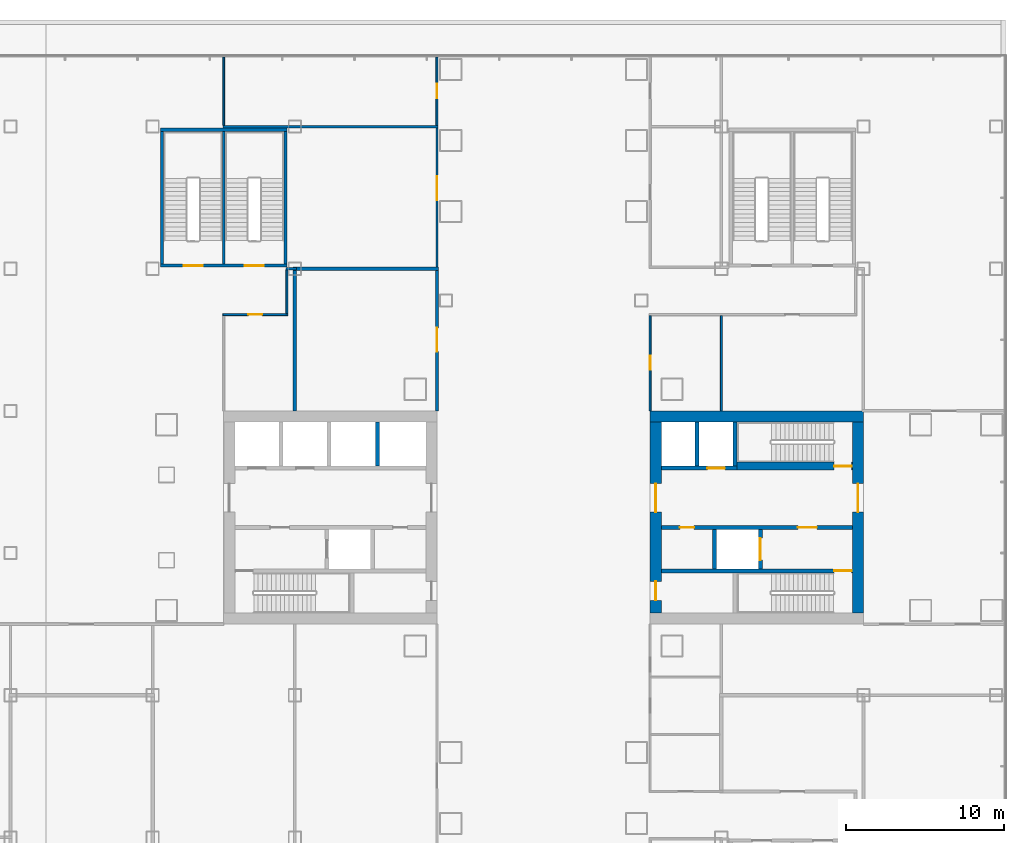
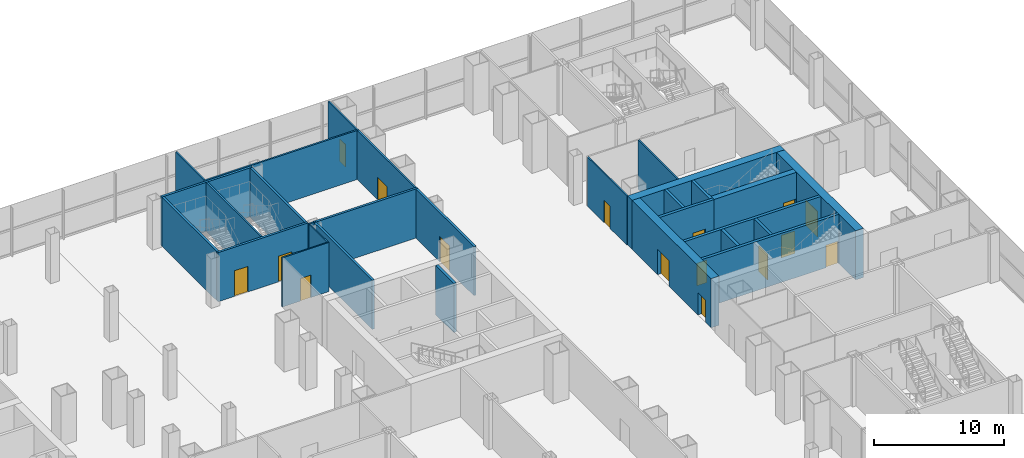
# One storey, part 25 of 33: 29 walls, 16 doors, 16 openings.
"""IFC4 building model written with IfcOpenShell, lengths in metres."""

from ifc_helpers import new_model, si_unit, direction, frame, frame_2d, origin, place, context, subcontext, project, spatial, rectangle, extrude, material, layer, layer_set, type_object, element, fill, save


model = new_model("IFC4")

# Units and contexts
model_context = context("Model", 3, precision=1e-05, world=origin(), true_north=direction((0.0, 1.0)))
body_context = subcontext(model_context, "Body", "Model", "MODEL_VIEW")
ifc_project = project(units=[si_unit("LENGTHUNIT", "METRE"), si_unit("AREAUNIT", "SQUARE_METRE"), si_unit("VOLUMEUNIT", "CUBIC_METRE"), si_unit("PLANEANGLEUNIT", "RADIAN"), si_unit("MASSUNIT", "GRAM", prefix="KILO")], contexts=[model_context])

# Site, building, storey
site_placement = place(None, origin())
site = spatial("IfcSite", under=ifc_project, at=site_placement, CompositionType="ELEMENT")
building_placement = place(site_placement, origin())
building = spatial("IfcBuilding", under=site, at=building_placement, Name="Shamsa Quay Exchange Towers", CompositionType="ELEMENT")
storey_placement = place(building_placement, frame((0.0, 0.0, 18.5)))
storey = spatial("IfcBuildingStorey", under=building, at=storey_placement, Name="L03", CompositionType="ELEMENT", Elevation=18.5)

# Wall
ifc_material_1 = material(Name="Concrete C80/95", Category="concrete")
ifc_layer_1 = layer(ifc_material_1, 0.699951171875)
ifc_layer_set_1 = layer_set([ifc_layer_1], Name="CORE WALL 700 C80/95")
wall_type_1 = type_object("IfcWallType", Name="CORE WALL 700 C80/95", PredefinedType="SHEAR", material=ifc_layer_set_1)
wall_1_placement = place(storey_placement, frame((54.0, 6.39990234375, 0.0), z_axis=(0.0, 0.0, 1.0), x_axis=(-1.0, 0.0, 0.0)))
element("IfcWall", 1, at=wall_1_placement, inside=storey, type_object=wall_type_1, Name="Core wall T2B-L03-PN", PredefinedType="SHEAR", context=body_context, shape_type="SweptSolid", body=[
    extrude(rectangle(XDim=13.5, YDim=0.699951171875, at=frame_2d((6.75, 0.0))), origin(), (0.0, 0.0, 1.0), 4.60009765625),
])

# Wall, opening, door
wall_2_placement = place(storey_placement, frame((53.64990234375, -6.050048828125, 0.0), z_axis=(0.0, 0.0, 1.0), x_axis=(0.0, 1.0, 0.0)))
wall_2 = element("IfcWall", 2, at=wall_2_placement, inside=storey, type_object=wall_type_1, Name="Core wall T2B-L03-PF", PredefinedType="SHEAR", context=body_context, shape_type="SweptSolid", body=[
    extrude(rectangle(XDim=12.10009765625, YDim=0.699951171875, at=frame_2d((6.050048828125, 0.0))), origin(), (0.0, 0.0, 1.0), 4.60009765625),
])
opening_1_placement = place(wall_2_placement, frame((6.39990234375, 0.0, 0.0)))
opening_1 = element("IfcOpeningElement", 3, at=opening_1_placement, cuts=wall_2, Name="Opening T2B-L03-LBD01", PredefinedType="OPENING", context=body_context, shape_type="SweptSolid", body=[
    extrude(rectangle(XDim=1.800048828125, YDim=2.39990234375, at=frame_2d((0.89990234375, 1.199951171875))), frame((0.0, 0.35986328125, 0.0), z_axis=(0.0, -1.0, 0.0), x_axis=(1.0, 0.0, 0.0)), (0.0, 0.0, 1.0), 0.719970703125),
])
ifc_material_2 = material(Name="Steel, fire rated", Category="steel")
door_type_1 = type_object("IfcDoorType", Name="LIFT LOBBY DOOR PAIR 1800", OperationType="DOUBLE_DOOR_SINGLE_SWING", PredefinedType="DOOR", material=ifc_material_2)
door_1_placement = place(opening_1_placement, origin())
door_1 = element("IfcDoor", 4, at=door_1_placement, inside=storey, type_object=door_type_1, Name="T2B-L03-LBD01", OperationType="DOUBLE_DOOR_SINGLE_SWING", OverallHeight=2.39990234375, OverallWidth=1.800048828125, PredefinedType="DOOR", context=body_context, shape_type="SweptSolid", body=[
    extrude(rectangle(XDim=1.800048828125, YDim=2.39990234375, at=frame_2d((0.89990234375, 1.199951171875))), frame((0.0, 0.02490234375, 0.0), z_axis=(0.0, -1.0, 0.0), x_axis=(1.0, 0.0, 0.0)), (0.0, 0.0, 1.0), 0.050048828125),
])
fill(opening_1, door_1)

# Wall, openings, doors
wall_3_placement = place(storey_placement, frame((40.85009765625, -6.050048828125, 0.0), z_axis=(0.0, 0.0, 1.0), x_axis=(0.0, 1.0, 0.0)))
wall_3 = element("IfcWall", 5, at=wall_3_placement, inside=storey, type_object=wall_type_1, Name="Core wall T2B-L03-PB", PredefinedType="SHEAR", context=body_context, shape_type="SweptSolid", body=[
    extrude(rectangle(XDim=12.10009765625, YDim=0.699951171875, at=frame_2d((6.050048828125, 0.0))), origin(), (0.0, 0.0, 1.0), 4.60009765625),
])
opening_2_placement = place(wall_3_placement, frame((0.800048828125, 0.0, 0.0)))
opening_2 = element("IfcOpeningElement", 6, at=opening_2_placement, cuts=wall_3, Name="Opening T2B-L03-RD02", PredefinedType="OPENING", context=body_context, shape_type="SweptSolid", body=[
    extrude(rectangle(XDim=1.199951171875, YDim=2.10009765625, at=frame_2d((0.60009765625, 1.050048828125))), frame((0.0, 0.35986328125, 0.0), z_axis=(0.0, -1.0, 0.0), x_axis=(1.0, 0.0, 0.0)), (0.0, 0.0, 1.0), 0.719970703125),
])
opening_3_placement = place(wall_3_placement, frame((6.39990234375, 0.0, 0.0)))
opening_3 = element("IfcOpeningElement", 7, at=opening_3_placement, cuts=wall_3, Name="Opening T2B-L03-LBD03", PredefinedType="OPENING", context=body_context, shape_type="SweptSolid", body=[
    extrude(rectangle(XDim=1.800048828125, YDim=2.39990234375, at=frame_2d((0.89990234375, 1.199951171875))), frame((0.0, 0.35986328125, 0.0), z_axis=(0.0, -1.0, 0.0), x_axis=(1.0, 0.0, 0.0)), (0.0, 0.0, 1.0), 0.719970703125),
])
door_2_placement = place(opening_3_placement, origin())
door_2 = element("IfcDoor", 8, at=door_2_placement, inside=storey, type_object=door_type_1, Name="T2B-L03-LBD03", OperationType="DOUBLE_DOOR_SINGLE_SWING", OverallHeight=2.39990234375, OverallWidth=1.800048828125, PredefinedType="DOOR", context=body_context, shape_type="SweptSolid", body=[
    extrude(rectangle(XDim=1.800048828125, YDim=2.39990234375, at=frame_2d((0.89990234375, 1.199951171875))), frame((0.0, 0.02490234375, 0.0), z_axis=(0.0, -1.0, 0.0), x_axis=(1.0, 0.0, 0.0)), (0.0, 0.0, 1.0), 0.050048828125),
])
fill(opening_3, door_2)
door_type_2 = type_object("IfcDoorType", Name="RISER ACCESS DOOR 1200", OperationType="SINGLE_SWING_LEFT", PredefinedType="DOOR", material=ifc_material_2)
door_3_placement = place(opening_2_placement, origin())
door_3 = element("IfcDoor", 9, at=door_3_placement, inside=storey, type_object=door_type_2, Name="T2B-L03-RD02", OperationType="SINGLE_SWING_LEFT", OverallHeight=2.10009765625, OverallWidth=1.199951171875, PredefinedType="DOOR", context=body_context, shape_type="SweptSolid", body=[
    extrude(rectangle(XDim=1.199951171875, YDim=2.10009765625, at=frame_2d((0.60009765625, 1.050048828125))), frame((0.0, 0.02490234375, 0.0), z_axis=(0.0, -1.0, 0.0), x_axis=(1.0, 0.0, 0.0)), (0.0, 0.0, 1.0), 0.050048828125),
])
fill(opening_2, door_3)

# Wall, opening, door
ifc_material_3 = material(Name="Laminated fire-resisting glass in a metal frame", Category="glass")
ifc_layer_2 = layer(ifc_material_3, 0.125)
ifc_layer_set_2 = layer_set([ifc_layer_2], Name="Glazed partition 125 mm EI 60")
wall_type_2 = type_object("IfcWallType", Name="Glazed partition 125 mm EI 60", PredefinedType="PARTITIONING", material=ifc_layer_set_2)
wall_4_placement = place(storey_placement, frame((27.0, 24.824951171875, 0.0), z_axis=(0.0, 0.0, 1.0), x_axis=(0.0, 1.0, 0.0)))
wall_4 = element("IfcWall", 10, at=wall_4_placement, inside=storey, type_object=wall_type_2, Name="Partition PD-L03-W14", PredefinedType="PARTITIONING", context=body_context, shape_type="SweptSolid", body=[
    extrude(rectangle(XDim=4.330078125, YDim=0.125, at=frame_2d((2.1650390625, 0.0))), origin(), (0.0, 0.0, 1.0), 4.60009765625),
])
opening_4_placement = place(wall_4_placement, frame((1.72509765625, 0.0, 0.0)))
opening_4 = element("IfcOpeningElement", 11, at=opening_4_placement, cuts=wall_4, Name="Opening PD-L03-D30", PredefinedType="OPENING", context=body_context, shape_type="SweptSolid", body=[
    extrude(rectangle(XDim=0.89990234375, YDim=2.10009765625, at=frame_2d((0.449951171875, 1.050048828125))), frame((0.0, 0.072509765625, 0.0), z_axis=(0.0, -1.0, 0.0), x_axis=(1.0, 0.0, 0.0)), (0.0, 0.0, 1.0), 0.14501953125),
])
ifc_material_4 = material(Name="Timber door leaf in a metal frame", Category="wood")
door_type_3 = type_object("IfcDoorType", Name="Door 900x2100 FD30S", OperationType="NOTDEFINED", PredefinedType="DOOR", material=ifc_material_4)
door_4_placement = place(opening_4_placement, origin())
door_4 = element("IfcDoor", 12, at=door_4_placement, inside=storey, type_object=door_type_3, Name="Door PD-L03-D30", OperationType="SINGLE_SWING_RIGHT", OverallHeight=2.10009765625, OverallWidth=0.89990234375, PredefinedType="DOOR", context=body_context, shape_type="SweptSolid", body=[
    extrude(rectangle(XDim=0.89990234375, YDim=2.10009765625, at=frame_2d((0.449951171875, 1.050048828125))), frame((0.0, 0.02490234375, 0.0), z_axis=(0.0, -1.0, 0.0), x_axis=(1.0, 0.0, 0.0)), (0.0, 0.0, 1.0), 0.050048828125),
])
fill(opening_4, door_4)

wall_5_placement = place(storey_placement, frame((40.5, 12.787109375, 0.0), z_axis=(0.0, 0.0, 1.0), x_axis=(0.0, -1.0, 0.0)))
wall_5 = element("IfcWall", 13, at=wall_5_placement, inside=storey, type_object=wall_type_2, Name="Partition PD-L03-W17", PredefinedType="PARTITIONING", context=body_context, shape_type="SweptSolid", body=[
    extrude(rectangle(XDim=6.037109375, YDim=0.125, at=frame_2d((3.0185546875, 0.0))), origin(), (0.0, 0.0, 1.0), 4.60009765625),
])
opening_5_placement = place(wall_5_placement, frame((2.537353515625, 0.0, 0.0)))
opening_5 = element("IfcOpeningElement", 14, at=opening_5_placement, cuts=wall_5, Name="Opening PD-L03-D36", PredefinedType="OPENING", context=body_context, shape_type="SweptSolid", body=[
    extrude(rectangle(XDim=0.89990234375, YDim=2.10009765625, at=frame_2d((0.449951171875, 1.050048828125))), frame((0.0, 0.072509765625, 0.0), z_axis=(0.0, -1.0, 0.0), x_axis=(1.0, 0.0, 0.0)), (0.0, 0.0, 1.0), 0.14501953125),
])
door_5_placement = place(opening_5_placement, origin())
door_5 = element("IfcDoor", 15, at=door_5_placement, inside=storey, type_object=door_type_3, Name="Door PD-L03-D36", OperationType="SINGLE_SWING_LEFT", OverallHeight=2.10009765625, OverallWidth=0.89990234375, PredefinedType="DOOR", context=body_context, shape_type="SweptSolid", body=[
    extrude(rectangle(XDim=0.89990234375, YDim=2.10009765625, at=frame_2d((0.449951171875, 1.050048828125))), frame((0.0, 0.02490234375, 0.0), z_axis=(0.0, -1.0, 0.0), x_axis=(1.0, 0.0, 0.0)), (0.0, 0.0, 1.0), 0.050048828125),
])
fill(opening_5, door_5)

# Wall
wall_6_placement = place(storey_placement, frame((13.5, 29.155029296875, 0.0), z_axis=(0.0, 0.0, 1.0), x_axis=(0.0, -1.0, 0.0)))
element("IfcWall", 16, at=wall_6_placement, inside=storey, type_object=wall_type_2, Name="Partition PD-L03-W21", PredefinedType="PARTITIONING", context=body_context, shape_type="SweptSolid", body=[
    extrude(rectangle(XDim=4.330078125, YDim=0.125, at=frame_2d((2.1650390625, 0.0))), origin(), (0.0, 0.0, 1.0), 4.60009765625),
])

# Wall, opening, door
wall_7_placement = place(storey_placement, frame((17.5625, 12.849609375, 0.0), z_axis=(0.0, 0.0, 1.0), x_axis=(-1.0, 0.0, 0.0)))
wall_7 = element("IfcWall", 17, at=wall_7_placement, inside=storey, type_object=wall_type_2, Name="Partition PD-L03-W40", PredefinedType="PARTITIONING", context=body_context, shape_type="SweptSolid", body=[
    extrude(rectangle(XDim=4.125, YDim=0.125, at=frame_2d((2.0625, 0.0))), origin(), (0.0, 0.0, 1.0), 4.60009765625),
])
opening_6_placement = place(wall_7_placement, frame((1.612548828125, 0.0, 0.0)))
opening_6 = element("IfcOpeningElement", 18, at=opening_6_placement, cuts=wall_7, Name="Opening PD-L03-D25", PredefinedType="OPENING", context=body_context, shape_type="SweptSolid", body=[
    extrude(rectangle(XDim=0.89990234375, YDim=2.10009765625, at=frame_2d((0.449951171875, 1.050048828125))), frame((0.0, 0.072509765625, 0.0), z_axis=(0.0, -1.0, 0.0), x_axis=(1.0, 0.0, 0.0)), (0.0, 0.0, 1.0), 0.14501953125),
])
door_6_placement = place(opening_6_placement, origin())
door_6 = element("IfcDoor", 19, at=door_6_placement, inside=storey, type_object=door_type_3, Name="Door PD-L03-D25", OperationType="SINGLE_SWING_RIGHT", OverallHeight=2.10009765625, OverallWidth=0.89990234375, PredefinedType="DOOR", context=body_context, shape_type="SweptSolid", body=[
    extrude(rectangle(XDim=0.89990234375, YDim=2.10009765625, at=frame_2d((0.449951171875, 1.050048828125))), frame((0.0, 0.02490234375, 0.0), z_axis=(0.0, -1.0, 0.0), x_axis=(1.0, 0.0, 0.0)), (0.0, 0.0, 1.0), 0.050048828125),
])
fill(opening_6, door_6)

# Walls
wall_8_placement = place(storey_placement, frame((17.5, 15.675048828125, 0.0), z_axis=(0.0, 0.0, 1.0), x_axis=(0.0, -1.0, 0.0)))
element("IfcWall", 20, at=wall_8_placement, inside=storey, type_object=wall_type_2, Name="Partition PD-L03-W45", PredefinedType="PARTITIONING", context=body_context, shape_type="SweptSolid", body=[
    extrude(rectangle(XDim=2.762939453125, YDim=0.125, at=frame_2d((1.38134765625, 0.0))), origin(), (0.0, 0.0, 1.0), 4.60009765625),
])
wall_9_placement = place(storey_placement, frame((45.0, 12.787109375, 0.0), z_axis=(0.0, 0.0, 1.0), x_axis=(0.0, -1.0, 0.0)))
element("IfcWall", 21, at=wall_9_placement, inside=storey, type_object=wall_type_2, Name="Partition PD-L03-W99", PredefinedType="PARTITIONING", context=body_context, shape_type="SweptSolid", body=[
    extrude(rectangle(XDim=6.037109375, YDim=0.125, at=frame_2d((3.0185546875, 0.0))), origin(), (0.0, 0.0, 1.0), 4.60009765625),
])

# Wall, opening, door
ifc_material_5 = material(Name="Gypsum board partition on metal studs")
ifc_layer_3 = layer(ifc_material_5, 0.14990234375)
ifc_layer_set_3 = layer_set([ifc_layer_3], Name="Partition 150 mm EI 60")
wall_type_3 = type_object("IfcWallType", Name="Partition 150 mm EI 60", PredefinedType="PARTITIONING", material=ifc_layer_set_3)
wall_10_placement = place(storey_placement, frame((27.0, 15.85009765625, 0.0), z_axis=(0.0, 0.0, 1.0), x_axis=(0.0, 1.0, 0.0)))
wall_10 = element("IfcWall", 22, at=wall_10_placement, inside=storey, type_object=wall_type_3, Name="Partition PD-L03-W12", PredefinedType="PARTITIONING", context=body_context, shape_type="SweptSolid", body=[
    extrude(rectangle(XDim=8.824951171875, YDim=0.14990234375, at=frame_2d((4.41259765625, 0.0))), origin(), (0.0, 0.0, 1.0), 4.60009765625),
])
opening_7_placement = place(wall_10_placement, frame((4.25, 0.0, 0.0)))
opening_7 = element("IfcOpeningElement", 23, at=opening_7_placement, cuts=wall_10, Name="Opening PD-L03-D29", PredefinedType="OPENING", context=body_context, shape_type="SweptSolid", body=[
    extrude(rectangle(XDim=1.5, YDim=2.10009765625, at=frame_2d((0.75, 1.050048828125))), frame((0.0, 0.0849609375, 0.0), z_axis=(0.0, -1.0, 0.0), x_axis=(1.0, 0.0, 0.0)), (0.0, 0.0, 1.0), 0.169921875),
])
door_type_4 = type_object("IfcDoorType", Name="Door 1500x2100 FD30S pair", OperationType="NOTDEFINED", PredefinedType="DOOR", material=ifc_material_4)
door_7_placement = place(opening_7_placement, origin())
door_7 = element("IfcDoor", 24, at=door_7_placement, inside=storey, type_object=door_type_4, Name="Door PD-L03-D29", OperationType="DOUBLE_DOOR_SINGLE_SWING", OverallHeight=2.10009765625, OverallWidth=1.5, PredefinedType="DOOR", context=body_context, shape_type="SweptSolid", body=[
    extrude(rectangle(XDim=1.5, YDim=2.10009765625, at=frame_2d((0.75, 1.050048828125))), frame((0.0, 0.02490234375, 0.0), z_axis=(0.0, -1.0, 0.0), x_axis=(1.0, 0.0, 0.0)), (0.0, 0.0, 1.0), 0.050048828125),
])
fill(opening_7, door_7)

# Walls
wall_11_placement = place(storey_placement, frame((17.4375, 15.75, 0.0)))
element("IfcWall", 25, at=wall_11_placement, inside=storey, type_object=wall_type_3, Name="Partition PD-L03-W62", PredefinedType="PARTITIONING", context=body_context, shape_type="SweptSolid", body=[
    extrude(rectangle(XDim=0.66259765625, YDim=0.14990234375, at=frame_2d((0.331298828125, 0.0))), origin(), (0.0, 0.0, 1.0), 4.60009765625),
])
wall_12_placement = place(storey_placement, frame((27.074951171875, 24.75, 0.0), z_axis=(0.0, 0.0, 1.0), x_axis=(-1.0, 0.0, 0.0)))
element("IfcWall", 26, at=wall_12_placement, inside=storey, type_object=wall_type_3, Name="Partition PD-L03-W93", PredefinedType="PARTITIONING", context=body_context, shape_type="SweptSolid", body=[
    extrude(rectangle(XDim=13.637451171875, YDim=0.14990234375, at=frame_2d((6.81884765625, 0.0))), origin(), (0.0, 0.0, 1.0), 4.60009765625),
])

# Wall, opening, door
ifc_layer_4 = layer(ifc_material_5, 0.199951171875)
ifc_layer_set_4 = layer_set([ifc_layer_4], Name="Partition 200 mm EI 90")
wall_type_4 = type_object("IfcWallType", Name="Partition 200 mm EI 90", PredefinedType="PARTITIONING", material=ifc_layer_set_4)
wall_13_placement = place(storey_placement, frame((27.0, 6.75, 0.0), z_axis=(0.0, 0.0, 1.0), x_axis=(0.0, 1.0, 0.0)))
wall_13 = element("IfcWall", 27, at=wall_13_placement, inside=storey, type_object=wall_type_4, Name="Partition PD-L03-W13", PredefinedType="PARTITIONING", context=body_context, shape_type="SweptSolid", body=[
    extrude(rectangle(XDim=8.89990234375, YDim=0.199951171875, at=frame_2d((4.449951171875, 0.0))), origin(), (0.0, 0.0, 1.0), 4.60009765625),
])
opening_8_placement = place(wall_13_placement, frame((3.75, 0.0, 0.0)))
opening_8 = element("IfcOpeningElement", 28, at=opening_8_placement, cuts=wall_13, Name="Opening PD-L03-D28", PredefinedType="OPENING", context=body_context, shape_type="SweptSolid", body=[
    extrude(rectangle(XDim=1.5, YDim=2.39990234375, at=frame_2d((0.75, 1.199951171875))), frame((0.0, 0.10986328125, 0.0), z_axis=(0.0, -1.0, 0.0), x_axis=(1.0, 0.0, 0.0)), (0.0, 0.0, 1.0), 0.219970703125),
])
door_type_5 = type_object("IfcDoorType", Name="Door 1500x2400 FD30S pair", OperationType="NOTDEFINED", PredefinedType="DOOR", material=ifc_material_4)
door_8_placement = place(opening_8_placement, origin())
door_8 = element("IfcDoor", 29, at=door_8_placement, inside=storey, type_object=door_type_5, Name="Door PD-L03-D28", OperationType="DOUBLE_DOOR_SINGLE_SWING", OverallHeight=2.39990234375, OverallWidth=1.5, PredefinedType="DOOR", context=body_context, shape_type="SweptSolid", body=[
    extrude(rectangle(XDim=1.5, YDim=2.39990234375, at=frame_2d((0.75, 1.199951171875))), frame((0.0, 0.02490234375, 0.0), z_axis=(0.0, -1.0, 0.0), x_axis=(1.0, 0.0, 0.0)), (0.0, 0.0, 1.0), 0.050048828125),
])
fill(opening_8, door_8)

# Walls
wall_14_placement = place(storey_placement, frame((17.89990234375, 15.75, 0.0)))
element("IfcWall", 30, at=wall_14_placement, inside=storey, type_object=wall_type_4, Name="Partition PD-L03-W92", PredefinedType="PARTITIONING", context=body_context, shape_type="SweptSolid", body=[
    extrude(rectangle(XDim=9.2001953125, YDim=0.199951171875, at=frame_2d((4.60009765625, 0.0))), origin(), (0.0, 0.0, 1.0), 4.60009765625),
])
wall_15_placement = place(storey_placement, frame((18.0, 15.64990234375, 0.0), z_axis=(0.0, 0.0, 1.0), x_axis=(0.0, -1.0, 0.0)))
element("IfcWall", 31, at=wall_15_placement, inside=storey, type_object=wall_type_4, Name="Partition PD-L03-W96", PredefinedType="PARTITIONING", context=body_context, shape_type="SweptSolid", body=[
    extrude(rectangle(XDim=8.89990234375, YDim=0.199951171875, at=frame_2d((4.449951171875, 0.0))), origin(), (0.0, 0.0, 1.0), 4.60009765625),
])
ifc_material_6 = material(Name="Concrete C50/60", Category="concrete")
ifc_layer_5 = layer(ifc_material_6, 0.25)
ifc_layer_set_5 = layer_set([ifc_layer_5], Name="SHAFT WALL 250 C50/60")
wall_type_5 = type_object("IfcWallType", Name="SHAFT WALL 250 C50/60", PredefinedType="SHEAR", material=ifc_layer_set_5)
wall_16_placement = place(storey_placement, frame((23.22509765625, 3.25, 0.0), z_axis=(0.0, 0.0, 1.0), x_axis=(0.0, 1.0, 0.0)))
element("IfcWall", 32, at=wall_16_placement, inside=storey, type_object=wall_type_5, Name="Shaft wall T2A-L03-D2", PredefinedType="SHEAR", context=body_context, shape_type="SweptSolid", body=[
    extrude(rectangle(XDim=2.800048828125, YDim=0.25, at=frame_2d((1.39990234375, 0.0))), origin(), (0.0, 0.0, 1.0), 4.60009765625),
])

# Wall, opening, door
wall_17_placement = place(storey_placement, frame((53.300048828125, -3.375, 0.0), z_axis=(0.0, 0.0, 1.0), x_axis=(-1.0, 0.0, 0.0)))
wall_17 = element("IfcWall", 33, at=wall_17_placement, inside=storey, type_object=wall_type_5, Name="Shaft wall T2B-L03-STL", PredefinedType="SHEAR", context=body_context, shape_type="SweptSolid", body=[
    extrude(rectangle(XDim=12.10009765625, YDim=0.25, at=frame_2d((6.050048828125, 0.0))), origin(), (0.0, 0.0, 1.0), 4.60009765625),
])
opening_9_placement = place(wall_17_placement, frame((0.050048828125, 0.0, 0.0)))
opening_9 = element("IfcOpeningElement", 34, at=opening_9_placement, cuts=wall_17, Name="Opening T2B-L03-SD04", PredefinedType="OPENING", context=body_context, shape_type="SweptSolid", body=[
    extrude(rectangle(XDim=1.10009765625, YDim=2.10009765625, at=frame_2d((0.550048828125, 1.050048828125))), frame((0.0, 0.135009765625, 0.0), z_axis=(0.0, -1.0, 0.0), x_axis=(1.0, 0.0, 0.0)), (0.0, 0.0, 1.0), 0.27001953125),
])
door_type_6 = type_object("IfcDoorType", Name="STAIR DOOR 1100", OperationType="SINGLE_SWING_LEFT", PredefinedType="DOOR", material=ifc_material_2)
door_9_placement = place(opening_9_placement, origin())
door_9 = element("IfcDoor", 35, at=door_9_placement, inside=storey, type_object=door_type_6, Name="T2B-L03-SD04", OperationType="SINGLE_SWING_LEFT", OverallHeight=2.10009765625, OverallWidth=1.10009765625, PredefinedType="DOOR", context=body_context, shape_type="SweptSolid", body=[
    extrude(rectangle(XDim=1.10009765625, YDim=2.10009765625, at=frame_2d((0.550048828125, 1.050048828125))), frame((0.0, 0.02490234375, 0.0), z_axis=(0.0, -1.0, 0.0), x_axis=(1.0, 0.0, 0.0)), (0.0, 0.0, 1.0), 0.050048828125),
])
fill(opening_9, door_9)

# Wall, openings, doors
wall_18_placement = place(storey_placement, frame((53.300048828125, -0.625, 0.0), z_axis=(0.0, 0.0, 1.0), x_axis=(-1.0, 0.0, 0.0)))
wall_18 = element("IfcWall", 36, at=wall_18_placement, inside=storey, type_object=wall_type_5, Name="Shaft wall T2B-L03-B", PredefinedType="SHEAR", context=body_context, shape_type="SweptSolid", body=[
    extrude(rectangle(XDim=12.10009765625, YDim=0.25, at=frame_2d((6.050048828125, 0.0))), origin(), (0.0, 0.0, 1.0), 4.60009765625),
])
opening_10_placement = place(wall_18_placement, frame((2.25, 0.0, 0.0)))
opening_10 = element("IfcOpeningElement", 37, at=opening_10_placement, cuts=wall_18, Name="Opening T2B-L03-FD05", PredefinedType="OPENING", context=body_context, shape_type="SweptSolid", body=[
    extrude(rectangle(XDim=1.199951171875, YDim=2.10009765625, at=frame_2d((0.60009765625, 1.050048828125))), frame((0.0, 0.135009765625, 0.0), z_axis=(0.0, -1.0, 0.0), x_axis=(1.0, 0.0, 0.0)), (0.0, 0.0, 1.0), 0.27001953125),
])
opening_11_placement = place(wall_18_placement, frame((10.02490234375, 0.0, 0.0)))
opening_11 = element("IfcOpeningElement", 38, at=opening_11_placement, cuts=wall_18, Name="Opening T2B-L03-SV06", PredefinedType="OPENING", context=body_context, shape_type="SweptSolid", body=[
    extrude(rectangle(XDim=0.89990234375, YDim=2.10009765625, at=frame_2d((0.449951171875, 1.050048828125))), frame((0.0, 0.135009765625, 0.0), z_axis=(0.0, -1.0, 0.0), x_axis=(1.0, 0.0, 0.0)), (0.0, 0.0, 1.0), 0.27001953125),
])
door_type_7 = type_object("IfcDoorType", Name="FIRE SERVICE LOBBY DOOR 1200", OperationType="SINGLE_SWING_LEFT", PredefinedType="DOOR", material=ifc_material_2)
door_10_placement = place(opening_10_placement, origin())
door_10 = element("IfcDoor", 39, at=door_10_placement, inside=storey, type_object=door_type_7, Name="T2B-L03-FD05", OperationType="SINGLE_SWING_LEFT", OverallHeight=2.10009765625, OverallWidth=1.199951171875, PredefinedType="DOOR", context=body_context, shape_type="SweptSolid", body=[
    extrude(rectangle(XDim=1.199951171875, YDim=2.10009765625, at=frame_2d((0.60009765625, 1.050048828125))), frame((0.0, 0.02490234375, 0.0), z_axis=(0.0, -1.0, 0.0), x_axis=(1.0, 0.0, 0.0)), (0.0, 0.0, 1.0), 0.050048828125),
])
fill(opening_10, door_10)
door_type_8 = type_object("IfcDoorType", Name="SERVICE ROOM DOOR 900", OperationType="SINGLE_SWING_LEFT", PredefinedType="DOOR", material=ifc_material_2)
door_11_placement = place(opening_11_placement, origin())
door_11 = element("IfcDoor", 40, at=door_11_placement, inside=storey, type_object=door_type_8, Name="T2B-L03-SV06", OperationType="SINGLE_SWING_RIGHT", OverallHeight=2.10009765625, OverallWidth=0.89990234375, PredefinedType="DOOR", context=body_context, shape_type="SweptSolid", body=[
    extrude(rectangle(XDim=0.89990234375, YDim=2.10009765625, at=frame_2d((0.449951171875, 1.050048828125))), frame((0.0, 0.02490234375, 0.0), z_axis=(0.0, -1.0, 0.0), x_axis=(1.0, 0.0, 0.0)), (0.0, 0.0, 1.0), 0.050048828125),
])
fill(opening_11, door_11)

# Wall, opening, door
wall_19_placement = place(storey_placement, frame((47.47509765625, -3.25, 0.0), z_axis=(0.0, 0.0, 1.0), x_axis=(0.0, 1.0, 0.0)))
wall_19 = element("IfcWall", 41, at=wall_19_placement, inside=storey, type_object=wall_type_5, Name="Shaft wall T2B-L03-FFF", PredefinedType="SHEAR", context=body_context, shape_type="SweptSolid", body=[
    extrude(rectangle(XDim=2.5, YDim=0.25, at=frame_2d((1.25, 0.0))), origin(), (0.0, 0.0, 1.0), 4.60009765625),
])
opening_12_placement = place(wall_19_placement, frame((0.550048828125, 0.0, 0.0)))
opening_12 = element("IfcOpeningElement", 42, at=opening_12_placement, cuts=wall_19, Name="Opening T2B-L03-LDG07", PredefinedType="OPENING", context=body_context, shape_type="SweptSolid", body=[
    extrude(rectangle(XDim=1.39990234375, YDim=2.39990234375, at=frame_2d((0.699951171875, 1.199951171875))), frame((0.0, 0.135009765625, 0.0), z_axis=(0.0, -1.0, 0.0), x_axis=(1.0, 0.0, 0.0)), (0.0, 0.0, 1.0), 0.27001953125),
])
door_type_9 = type_object("IfcDoorType", Name="GOODS LIFT LANDING DOOR 1400", OperationType="SLIDING_TO_LEFT", PredefinedType="DOOR", material=ifc_material_2)
door_12_placement = place(opening_12_placement, origin())
door_12 = element("IfcDoor", 43, at=door_12_placement, inside=storey, type_object=door_type_9, Name="T2B-L03-LDG07", OperationType="SLIDING_TO_LEFT", OverallHeight=2.39990234375, OverallWidth=1.39990234375, PredefinedType="DOOR", context=body_context, shape_type="SweptSolid", body=[
    extrude(rectangle(XDim=1.39990234375, YDim=2.39990234375, at=frame_2d((0.699951171875, 1.199951171875))), frame((0.0, 0.02490234375, 0.0), z_axis=(0.0, -1.0, 0.0), x_axis=(1.0, 0.0, 0.0)), (0.0, 0.0, 1.0), 0.050048828125),
])
fill(opening_12, door_12)

# Wall
wall_20_placement = place(storey_placement, frame((44.574951171875, -3.25, 0.0), z_axis=(0.0, 0.0, 1.0), x_axis=(0.0, 1.0, 0.0)))
element("IfcWall", 44, at=wall_20_placement, inside=storey, type_object=wall_type_5, Name="Shaft wall T2B-L03-FFB", PredefinedType="SHEAR", context=body_context, shape_type="SweptSolid", body=[
    extrude(rectangle(XDim=2.5, YDim=0.25, at=frame_2d((1.25, 0.0))), origin(), (0.0, 0.0, 1.0), 4.60009765625),
])

# Wall, opening, door
wall_21_placement = place(storey_placement, frame((46.0, 3.125, 0.0), z_axis=(0.0, 0.0, 1.0), x_axis=(-1.0, 0.0, 0.0)))
wall_21 = element("IfcWall", 45, at=wall_21_placement, inside=storey, type_object=wall_type_5, Name="Shaft wall T2B-L03-N2", PredefinedType="SHEAR", context=body_context, shape_type="SweptSolid", body=[
    extrude(rectangle(XDim=4.800048828125, YDim=0.25, at=frame_2d((2.39990234375, 0.0))), origin(), (0.0, 0.0, 1.0), 4.60009765625),
])
opening_13_placement = place(wall_21_placement, frame((0.77490234375, 0.0, 0.0)))
opening_13 = element("IfcOpeningElement", 46, at=opening_13_placement, cuts=wall_21, Name="Opening T2B-L03-LD09", PredefinedType="OPENING", context=body_context, shape_type="SweptSolid", body=[
    extrude(rectangle(XDim=1.10009765625, YDim=2.10009765625, at=frame_2d((0.550048828125, 1.050048828125))), frame((0.0, 0.135009765625, 0.0), z_axis=(0.0, -1.0, 0.0), x_axis=(1.0, 0.0, 0.0)), (0.0, 0.0, 1.0), 0.27001953125),
])
door_type_10 = type_object("IfcDoorType", Name="LANDING DOOR 1100", OperationType="SLIDING_TO_LEFT", PredefinedType="DOOR", material=ifc_material_2)
door_13_placement = place(opening_13_placement, origin())
door_13 = element("IfcDoor", 47, at=door_13_placement, inside=storey, type_object=door_type_10, Name="T2B-L03-LD09", OperationType="SLIDING_TO_LEFT", OverallHeight=2.10009765625, OverallWidth=1.10009765625, PredefinedType="DOOR", context=body_context, shape_type="SweptSolid", body=[
    extrude(rectangle(XDim=1.10009765625, YDim=2.10009765625, at=frame_2d((0.550048828125, 1.050048828125))), frame((0.0, 0.02490234375, 0.0), z_axis=(0.0, -1.0, 0.0), x_axis=(1.0, 0.0, 0.0)), (0.0, 0.0, 1.0), 0.050048828125),
])
fill(opening_13, door_13)

# Walls
for number, where, z_axis, x_axis, name in (
    (48, (45.875, 3.25, 0.0), (0.0, 0.0, 1.0), (0.0, 1.0, 0.0), "Shaft wall T2B-L03-STF2"),
    (49, (43.47509765625, 3.25, 0.0), (0.0, 0.0, 1.0), (0.0, 1.0, 0.0), "Shaft wall T2B-L03-D0"),
):
    element("IfcWall", number, at=place(storey_placement, frame(where, z_axis=z_axis, x_axis=x_axis)), inside=storey, type_object=wall_type_5, Name=name, PredefinedType="SHEAR", context=body_context, shape_type="SweptSolid", body=[
        extrude(rectangle(XDim=2.800048828125, YDim=0.25, at=frame_2d((1.39990234375, 0.0))), origin(), (0.0, 0.0, 1.0), 4.60009765625),
    ])

# Wall, opening, door
ifc_layer_6 = layer(ifc_material_6, 0.5)
ifc_layer_set_6 = layer_set([ifc_layer_6], Name="SHAFT WALL 500 C50/60")
wall_type_6 = type_object("IfcWallType", Name="SHAFT WALL 500 C50/60", PredefinedType="SHEAR", material=ifc_layer_set_6)
wall_22_placement = place(storey_placement, frame((46.0, 3.25, 0.0)))
wall_22 = element("IfcWall", 50, at=wall_22_placement, inside=storey, type_object=wall_type_6, Name="Shaft wall T2B-L03-N", PredefinedType="SHEAR", context=body_context, shape_type="SweptSolid", body=[
    extrude(rectangle(XDim=7.300048828125, YDim=0.5, at=frame_2d((3.64990234375, 0.0))), origin(), (0.0, 0.0, 1.0), 4.60009765625),
])
opening_14_placement = place(wall_22_placement, frame((6.14990234375, 0.0, 0.0)))
opening_14 = element("IfcOpeningElement", 51, at=opening_14_placement, cuts=wall_22, Name="Opening T2B-L03-SD08", PredefinedType="OPENING", context=body_context, shape_type="SweptSolid", body=[
    extrude(rectangle(XDim=1.10009765625, YDim=2.10009765625, at=frame_2d((0.550048828125, 1.050048828125))), frame((0.0, 0.260009765625, 0.0), z_axis=(0.0, -1.0, 0.0), x_axis=(1.0, 0.0, 0.0)), (0.0, 0.0, 1.0), 0.52001953125),
])
door_14_placement = place(opening_14_placement, origin())
door_14 = element("IfcDoor", 52, at=door_14_placement, inside=storey, type_object=door_type_6, Name="T2B-L03-SD08", OperationType="SINGLE_SWING_RIGHT", OverallHeight=2.10009765625, OverallWidth=1.10009765625, PredefinedType="DOOR", context=body_context, shape_type="SweptSolid", body=[
    extrude(rectangle(XDim=1.10009765625, YDim=2.10009765625, at=frame_2d((0.550048828125, 1.050048828125))), frame((0.0, 0.02490234375, 0.0), z_axis=(0.0, -1.0, 0.0), x_axis=(1.0, 0.0, 0.0)), (0.0, 0.0, 1.0), 0.050048828125),
])
fill(opening_14, door_14)

# Wall, openings, doors
ifc_layer_7 = layer(ifc_material_6, 0.199951171875)
ifc_layer_set_7 = layer_set([ifc_layer_7], Name="STAIR ENCLOSURE WALL 200 C50/60")
wall_type_7 = type_object("IfcWallType", Name="STAIR ENCLOSURE WALL 200 C50/60", PredefinedType="SHEAR", material=ifc_layer_set_7)
wall_23_placement = place(storey_placement, frame((9.5, 15.949951171875, 0.0)))
wall_23 = element("IfcWall", 53, at=wall_23_placement, inside=storey, type_object=wall_type_7, Name="Stair enclosure wall PS3 inward", PredefinedType="SHEAR", context=body_context, shape_type="SweptSolid", body=[
    extrude(rectangle(XDim=8.0, YDim=0.199951171875, at=frame_2d((4.0, 0.0))), origin(), (0.0, 0.0, 1.0), 4.60009765625),
])
opening_15_placement = place(wall_23_placement, frame((1.46240234375, 0.0, 0.0)))
opening_15 = element("IfcOpeningElement", 54, at=opening_15_placement, cuts=wall_23, Name="Opening PS3A-L03-SD01", PredefinedType="OPENING", context=body_context, shape_type="SweptSolid", body=[
    extrude(rectangle(XDim=1.199951171875, YDim=2.39990234375, at=frame_2d((0.60009765625, 1.199951171875))), frame((0.0, 0.10986328125, 0.0), z_axis=(0.0, -1.0, 0.0), x_axis=(1.0, 0.0, 0.0)), (0.0, 0.0, 1.0), 0.219970703125),
])
opening_16_placement = place(wall_23_placement, frame((5.33740234375, 0.0, 0.0)))
opening_16 = element("IfcOpeningElement", 55, at=opening_16_placement, cuts=wall_23, Name="Opening PS3B-L03-SD01", PredefinedType="OPENING", context=body_context, shape_type="SweptSolid", body=[
    extrude(rectangle(XDim=1.199951171875, YDim=2.39990234375, at=frame_2d((0.60009765625, 1.199951171875))), frame((0.0, 0.10986328125, 0.0), z_axis=(0.0, -1.0, 0.0), x_axis=(1.0, 0.0, 0.0)), (0.0, 0.0, 1.0), 0.219970703125),
])
door_type_11 = type_object("IfcDoorType", Name="PODIUM STAIR DOOR 1200", OperationType="SINGLE_SWING_LEFT", PredefinedType="DOOR", material=ifc_material_2)
door_15_placement = place(opening_15_placement, origin())
door_15 = element("IfcDoor", 56, at=door_15_placement, inside=storey, type_object=door_type_11, Name="PS3A-L03-SD01", OperationType="SINGLE_SWING_LEFT", OverallHeight=2.39990234375, OverallWidth=1.199951171875, PredefinedType="DOOR", context=body_context, shape_type="SweptSolid", body=[
    extrude(rectangle(XDim=1.199951171875, YDim=2.39990234375, at=frame_2d((0.60009765625, 1.199951171875))), frame((0.0, 0.02490234375, 0.0), z_axis=(0.0, -1.0, 0.0), x_axis=(1.0, 0.0, 0.0)), (0.0, 0.0, 1.0), 0.050048828125),
])
fill(opening_15, door_15)
door_16_placement = place(opening_16_placement, origin())
door_16 = element("IfcDoor", 57, at=door_16_placement, inside=storey, type_object=door_type_11, Name="PS3B-L03-SD01", OperationType="SINGLE_SWING_RIGHT", OverallHeight=2.39990234375, OverallWidth=1.199951171875, PredefinedType="DOOR", context=body_context, shape_type="SweptSolid", body=[
    extrude(rectangle(XDim=1.199951171875, YDim=2.39990234375, at=frame_2d((0.60009765625, 1.199951171875))), frame((0.0, 0.02490234375, 0.0), z_axis=(0.0, -1.0, 0.0), x_axis=(1.0, 0.0, 0.0)), (0.0, 0.0, 1.0), 0.050048828125),
])
fill(opening_16, door_16)

# Walls
wall_24_placement = place(storey_placement, frame((9.5, 24.550048828125, 0.0)))
element("IfcWall", 58, at=wall_24_placement, inside=storey, type_object=wall_type_7, Name="Stair enclosure wall PS3 outward", PredefinedType="SHEAR", context=body_context, shape_type="SweptSolid", body=[
    extrude(rectangle(XDim=8.0, YDim=0.199951171875, at=frame_2d((4.0, 0.0))), origin(), (0.0, 0.0, 1.0), 4.60009765625),
])
for number, where, z_axis, x_axis, name in (
    (59, (9.60009765625, 16.050048828125, 0.0), (0.0, 0.0, 1.0), (0.0, 1.0, 0.0), "Stair enclosure wall PS3 west"),
    (60, (17.39990234375, 16.050048828125, 0.0), (0.0, 0.0, 1.0), (0.0, 1.0, 0.0), "Stair enclosure wall PS3 east"),
):
    element("IfcWall", number, at=place(storey_placement, frame(where, z_axis=z_axis, x_axis=x_axis)), inside=storey, type_object=wall_type_7, Name=name, PredefinedType="SHEAR", context=body_context, shape_type="SweptSolid", body=[
        extrude(rectangle(XDim=8.39990234375, YDim=0.199951171875, at=frame_2d((4.199951171875, 0.0))), origin(), (0.0, 0.0, 1.0), 4.60009765625),
    ])
ifc_layer_8 = layer(ifc_material_6, 0.14990234375)
ifc_layer_set_8 = layer_set([ifc_layer_8], Name="STAIR PARTITION WALL 150 C50/60")
wall_type_8 = type_object("IfcWallType", Name="STAIR PARTITION WALL 150 C50/60", PredefinedType="SHEAR", material=ifc_layer_set_8)
wall_25_placement = place(storey_placement, frame((13.5, 16.050048828125, 0.0), z_axis=(0.0, 0.0, 1.0), x_axis=(0.0, 1.0, 0.0)))
element("IfcWall", 61, at=wall_25_placement, inside=storey, type_object=wall_type_8, Name="Stair enclosure wall PS3 between the stairs", PredefinedType="SHEAR", context=body_context, shape_type="SweptSolid", body=[
    extrude(rectangle(XDim=8.39990234375, YDim=0.14990234375, at=frame_2d((4.199951171875, 0.0))), origin(), (0.0, 0.0, 1.0), 4.60009765625),
])

save(model, "model.ifc")
